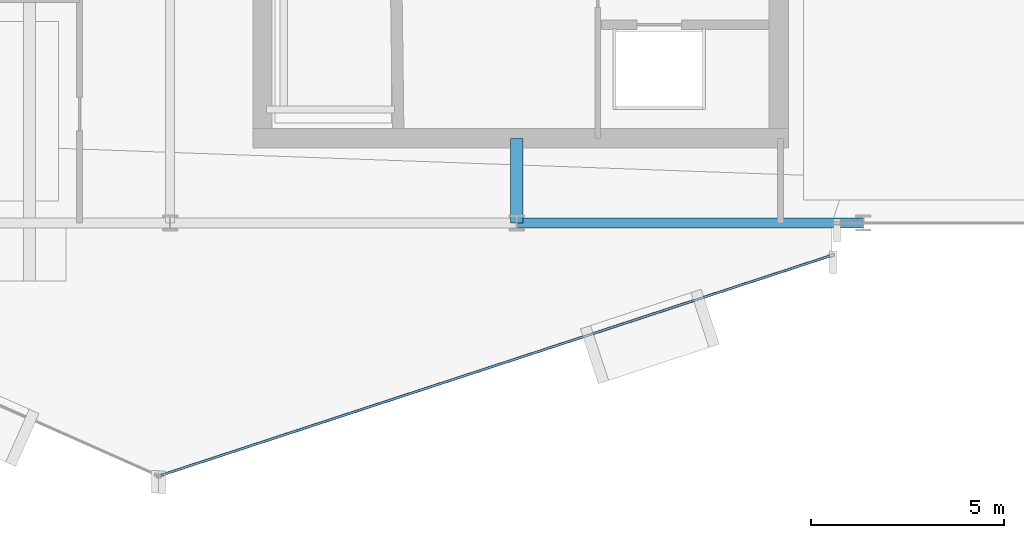
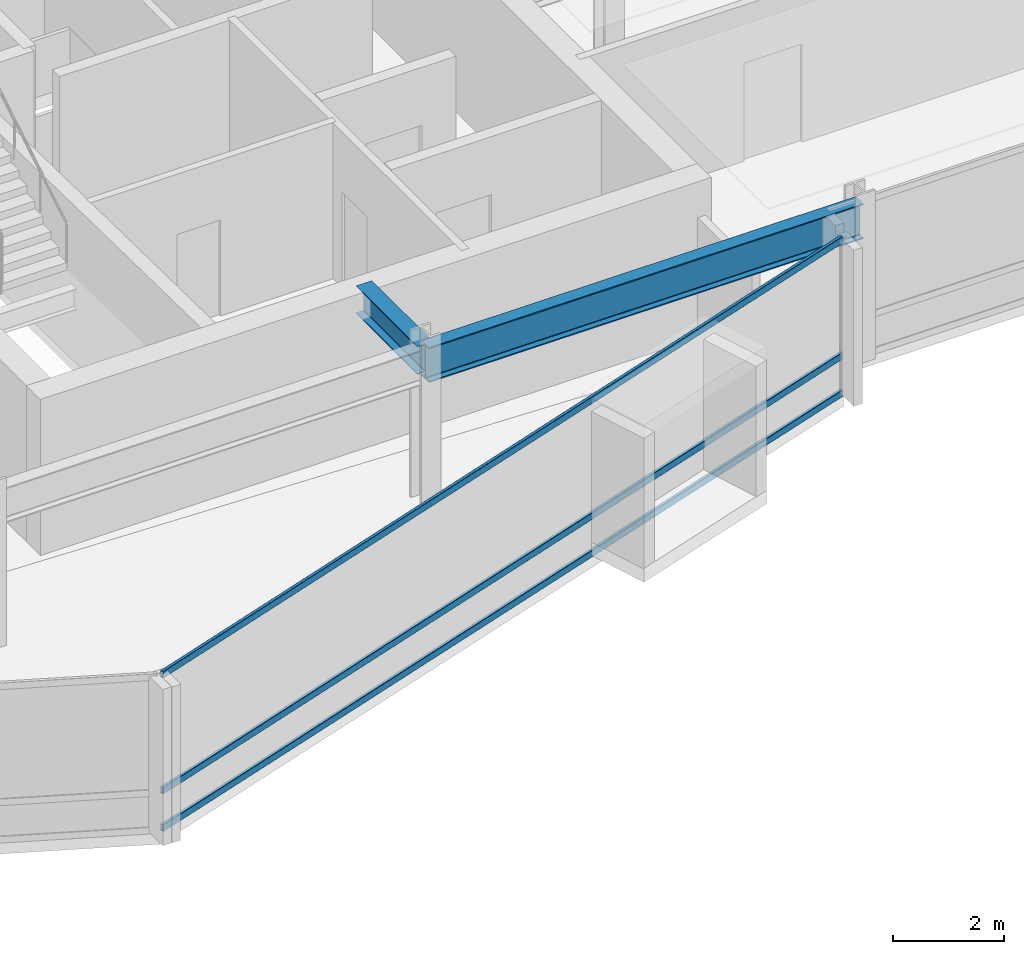
# One storey, part 9 of 27: 3 members, 2 beams, 1 element without a shape of its own.
"""IFC4 building model written with IfcOpenShell, lengths in metres."""

from ifc_helpers import new_model, si_unit, direction, frame, origin, origin_2d, place, context, subcontext, project, spatial, hollow_rectangle, i_section, extrude, material, layer, layer_set, material_profile, profile_set, type_object, element, aggregate, save


model = new_model("IFC4")

# Units and contexts
model_context = context("Model", 3, precision=1e-05, world=origin(), true_north=direction((0.0, 1.0)))
body_context = subcontext(model_context, "Body", "Model", "MODEL_VIEW")
ifc_project = project(units=[si_unit("LENGTHUNIT", "METRE"), si_unit("AREAUNIT", "SQUARE_METRE"), si_unit("VOLUMEUNIT", "CUBIC_METRE"), si_unit("PLANEANGLEUNIT", "RADIAN"), si_unit("MASSUNIT", "GRAM", prefix="KILO")], contexts=[model_context])

# Site, building, storey
site_placement = place(None, origin())
site = spatial("IfcSite", under=ifc_project, at=site_placement, CompositionType="ELEMENT")
building_placement = place(site_placement, origin())
building = spatial("IfcBuilding", under=site, at=building_placement, Name="Solvaryn Broadcast Tower", CompositionType="ELEMENT")
storey_placement = place(building_placement, frame((0.0, 0.0, 174.199951171875)))
storey = spatial("IfcBuildingStorey", under=building, at=storey_placement, Name="L43", CompositionType="ELEMENT", Elevation=174.199951171875)

# Beams
ifc_material_1 = material(Name="Steel ASTM A992 Grade 50", Category="steel")
ifc_material_profile_1 = material_profile(ifc_material_1, i_section(OverallWidth=0.323974609375, OverallDepth=0.611083984375, WebThickness=0.0126953125, FlangeThickness=0.01904296875, FilletRadius=0.014892578125, at=origin_2d()))
ifc_profile_set_1 = profile_set([ifc_material_profile_1], Name="Steel ASTM A992 Grade 50")
beam_type_1 = type_object("IfcBeamType", Name="BM-B1-W24X104", PredefinedType="BEAM", material=ifc_profile_set_1)
beam_1_placement = place(storey_placement, frame((36.0, 9.0, 3.114501953125), z_axis=(0.0, 1.0, 0.0), x_axis=(-1.0, 0.0, 0.0)))
element("IfcBeam", 1, at=beam_1_placement, inside=storey, type_object=beam_type_1, Name="L43 Core Tie Beam CTE1", PredefinedType="BEAM", context=body_context, shape_type="SweptSolid", body=[
    extrude(i_section(OverallWidth=0.323974609375, OverallDepth=0.611083984375, WebThickness=0.0126953125, FlangeThickness=0.01904296875, FilletRadius=0.014892578125, at=origin_2d()), origin(), (0.0, 0.0, 1.0), 2.199951171875),
])
ifc_material_2 = material(Name="Steel ASTM A992 Grade 50", Category="steel")
ifc_material_profile_2 = material_profile(ifc_material_2, i_section(OverallWidth=0.26708984375, OverallDepth=0.76611328125, WebThickness=0.014892578125, FlangeThickness=0.023681640625, FilletRadius=0.01806640625, at=origin_2d()))
ifc_profile_set_2 = profile_set([ifc_material_profile_2], Name="Steel ASTM A992 Grade 50")
beam_type_2 = type_object("IfcBeamType", Name="BM-SP2-W30X124", PredefinedType="USERDEFINED", material=ifc_profile_set_2)
beam_2_placement = place(storey_placement, frame((36.0, 9.0, 3.037109375), z_axis=(1.0, 0.0, 0.0), x_axis=(0.0, 1.0, 0.0)))
element("IfcBeam", 2, at=beam_2_placement, inside=storey, type_object=beam_type_2, Name="L43 Spandrel Beam X (36-45 @ Y=9)", ObjectType="SPANDREL", PredefinedType="USERDEFINED", context=body_context, shape_type="SweptSolid", body=[
    extrude(i_section(OverallWidth=0.26708984375, OverallDepth=0.76611328125, WebThickness=0.014892578125, FlangeThickness=0.023681640625, FilletRadius=0.01806640625, at=origin_2d()), origin(), (0.0, 0.0, 1.0), 9.0),
])

# Curtain wall, members
ifc_material_3 = material(Name="Aluminium and Terracotta Unitised Curtain Wall", Category="masonry")
ifc_layer = layer(ifc_material_3, 0.199951171875)
ifc_layer_set = layer_set([ifc_layer], Name="CW-SYS2-LOWMID")
curtain_wall_type = type_object("IfcCurtainWallType", Name="CW-SYS2-LOWMID", PredefinedType="NOTDEFINED", material=ifc_layer_set)
curtain_wall_placement = place(storey_placement, origin())
curtain_wall = element("IfcCurtainWall", 3, at=curtain_wall_placement, inside=storey, type_object=curtain_wall_type, Name="L43 Curtain Wall DR4", PredefinedType="NOTDEFINED")
ifc_material_4 = material(Name="Anodised Aluminium 6063-T6", Category="aluminium")
ifc_material_profile_3 = material_profile(ifc_material_4, hollow_rectangle(XDim=0.06494140625, YDim=0.14990234375, WallThickness=0.00390625, InnerFilletRadius=0.00390625, OuterFilletRadius=0.008056640625, at=origin_2d()))
ifc_profile_set_3 = profile_set([ifc_material_profile_3], Name="Anodised Aluminium 6063-T6")
member_type = type_object("IfcMemberType", Name="CW-TRN-150", PredefinedType="USERDEFINED", material=ifc_profile_set_3)
member_1_placement = place(storey_placement, frame((26.762939453125, 2.45166015625, 0.030029296875), z_axis=(0.950227141586, 0.311557987209, 0.0), x_axis=(-0.311557987209, 0.950227141586, 0.0)))
member_1 = element("IfcMember", 4, at=member_1_placement, type_object=member_type, Name="CWS2 transom 1.1", ObjectType="TRANSOM", PredefinedType="USERDEFINED", context=body_context, shape_type="SweptSolid", body=[
    extrude(hollow_rectangle(XDim=0.06494140625, YDim=0.14990234375, WallThickness=0.00390625, InnerFilletRadius=0.00390625, OuterFilletRadius=0.008056640625, at=origin_2d()), origin(), (0.0, 0.0, 1.0), 18.271484375),
])
member_2_placement = place(storey_placement, frame((26.762939453125, 2.45166015625, 0.85009765625), z_axis=(0.950227141586, 0.311557987209, 0.0), x_axis=(-0.311557987209, 0.950227141586, 0.0)))
member_2 = element("IfcMember", 5, at=member_2_placement, type_object=member_type, Name="CWS2 transom 1.2", ObjectType="TRANSOM", PredefinedType="USERDEFINED", context=body_context, shape_type="SweptSolid", body=[
    extrude(hollow_rectangle(XDim=0.06494140625, YDim=0.14990234375, WallThickness=0.00390625, InnerFilletRadius=0.00390625, OuterFilletRadius=0.008056640625, at=origin_2d()), origin(), (0.0, 0.0, 1.0), 18.271484375),
])
member_3_placement = place(storey_placement, frame((26.762939453125, 2.45166015625, 3.39013671875), z_axis=(0.950227141586, 0.311557987209, 0.0), x_axis=(-0.311557987209, 0.950227141586, 0.0)))
member_3 = element("IfcMember", 6, at=member_3_placement, type_object=member_type, Name="CWS2 transom 1.3", ObjectType="TRANSOM", PredefinedType="USERDEFINED", context=body_context, shape_type="SweptSolid", body=[
    extrude(hollow_rectangle(XDim=0.06494140625, YDim=0.14990234375, WallThickness=0.00390625, InnerFilletRadius=0.00390625, OuterFilletRadius=0.008056640625, at=origin_2d()), origin(), (0.0, 0.0, 1.0), 18.271484375),
])
aggregate(curtain_wall, [member_1, member_2, member_3])

save(model, "model.ifc")
